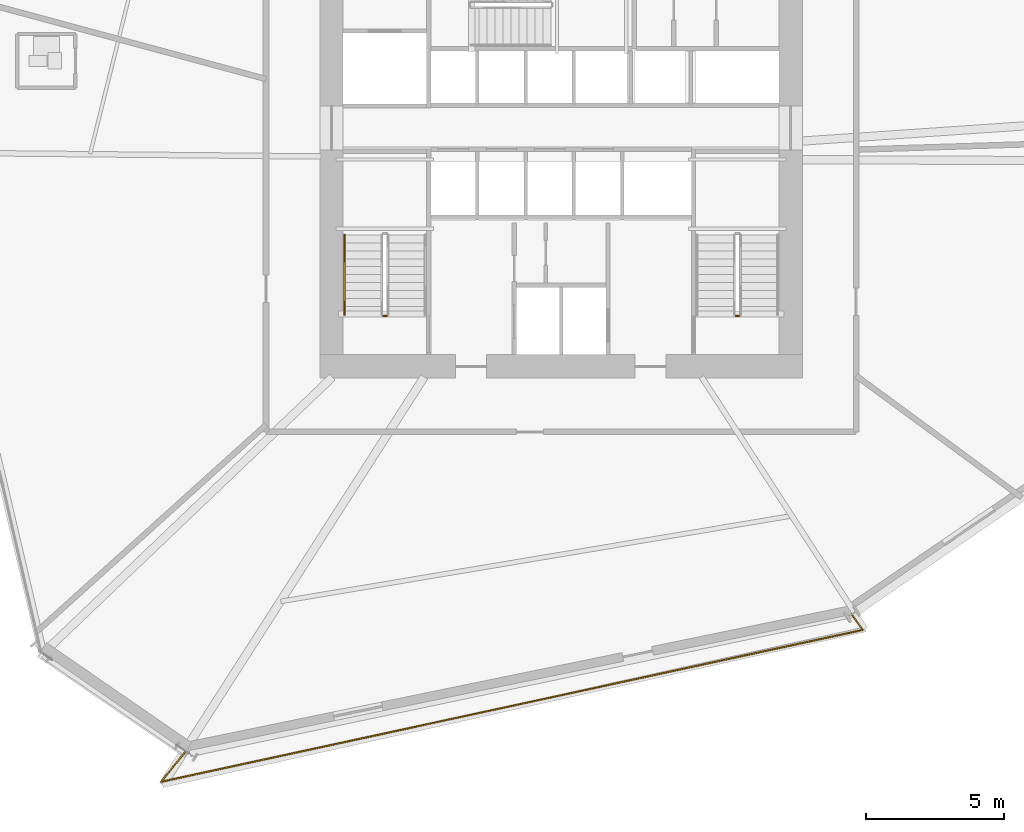
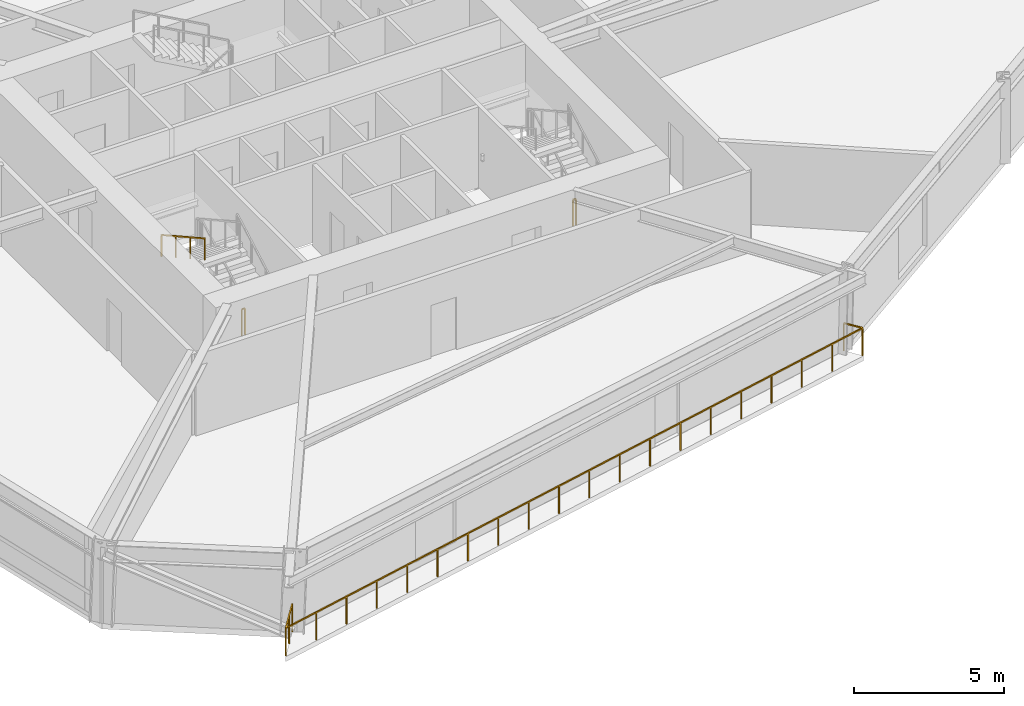
# One storey, part 19 of 23: 4 railings.
"""IFC4 building model written with IfcOpenShell, lengths in metres."""

from ifc_helpers import new_model, si_unit, direction, frame, origin, origin_2d, place, context, subcontext, project, spatial, rectangle, extrude, material, type_object, element, save


model = new_model("IFC4")

# Units and contexts
model_context = context("Model", 3, precision=1e-05, world=origin(), true_north=direction((0.0, 1.0)))
body_context = subcontext(model_context, "Body", "Model", "MODEL_VIEW")
ifc_project = project(units=[si_unit("LENGTHUNIT", "METRE"), si_unit("AREAUNIT", "SQUARE_METRE"), si_unit("VOLUMEUNIT", "CUBIC_METRE"), si_unit("PLANEANGLEUNIT", "RADIAN"), si_unit("MASSUNIT", "GRAM", prefix="KILO")], contexts=[model_context])

# Site, building, storey
site_placement = place(None, origin())
site = spatial("IfcSite", under=ifc_project, at=site_placement, CompositionType="ELEMENT")
building_placement = place(site_placement, origin())
building = spatial("IfcBuilding", under=site, at=building_placement, Name="Olszyna Solenne Hotel", CompositionType="ELEMENT")
storey_placement = place(building_placement, frame((0.0, 0.0, 32.85009765625)))
storey = spatial("IfcBuildingStorey", under=building, at=storey_placement, Name="L07", CompositionType="ELEMENT", Elevation=32.85009765625)

# Railings
ifc_material_1 = material(Name="Anodised bronze aluminium", Category="aluminium")
railing_type_1 = type_object("IfcRailingType", Name="GR-110", PredefinedType="BALUSTRADE", material=ifc_material_1)
railing_1_placement = place(storey_placement, frame((24.3857421875, 5.120849609375, 0.0)))
element("IfcRailing", 1, at=railing_1_placement, inside=storey, type_object=railing_type_1, Name="Loggia balcony balustrade guard GR-L07-LG3", PredefinedType="BALUSTRADE", context=body_context, shape_type="SweptSolid", body=[
    extrude(rectangle(XDim=0.048095703125, YDim=0.048095703125, at=origin_2d()), frame((0.0, 0.0, 1.1259765625), z_axis=(-0.625785855987, -0.779994911808, 0.0), x_axis=(0.779994911808, -0.625785855987, 0.0)), (0.0, 0.0, 1.0), 1.41845703125),
    extrude(rectangle(XDim=0.048095703125, YDim=0.048095703125, at=origin_2d()), frame((-0.8876953125, -1.1064453125, 1.1259765625), z_axis=(0.977365397422, 0.211558218755, 0.0), x_axis=(-0.211558218755, 0.977365397422, 0.0)), (0.0, 0.0, 1.0), 26.033447265625),
    extrude(rectangle(XDim=0.048095703125, YDim=0.048095703125, at=origin_2d()), frame((24.556396484375, 4.401123046875, 1.1259765625), z_axis=(-0.583212774459, 0.812319432064, 0.0), x_axis=(-0.812319432064, -0.583212774459, 0.0)), (0.0, 0.0, 1.0), 0.689453125),
    extrude(rectangle(XDim=0.0419921875, YDim=0.0419921875, at=origin_2d()), origin(), (0.0, 0.0, 1.0), 1.101806640625),
    extrude(rectangle(XDim=0.0419921875, YDim=0.0419921875, at=origin_2d()), frame((-0.44384765625, -0.55322265625, 0.0)), (0.0, 0.0, 1.0), 1.101806640625),
    extrude(rectangle(XDim=0.0419921875, YDim=0.0419921875, at=origin_2d()), frame((-0.8876953125, -1.1064453125, 0.0)), (0.0, 0.0, 1.0), 1.101806640625),
    extrude(rectangle(XDim=0.0419921875, YDim=0.0419921875, at=origin_2d()), frame((0.451416015625, -0.816650390625, 0.0)), (0.0, 0.0, 1.0), 1.101806640625),
    extrude(rectangle(XDim=0.0419921875, YDim=0.0419921875, at=origin_2d()), frame((1.79052734375, -0.526611328125, 0.0)), (0.0, 0.0, 1.0), 1.101806640625),
    extrude(rectangle(XDim=0.0419921875, YDim=0.0419921875, at=origin_2d()), frame((3.1298828125, -0.23681640625, 0.0)), (0.0, 0.0, 1.0), 1.101806640625),
    extrude(rectangle(XDim=0.0419921875, YDim=0.0419921875, at=origin_2d()), frame((4.468994140625, 0.052978515625, 0.0)), (0.0, 0.0, 1.0), 1.101806640625),
    extrude(rectangle(XDim=0.0419921875, YDim=0.0419921875, at=origin_2d()), frame((5.80810546875, 0.343017578125, 0.0)), (0.0, 0.0, 1.0), 1.101806640625),
    extrude(rectangle(XDim=0.0419921875, YDim=0.0419921875, at=origin_2d()), frame((7.147216796875, 0.6328125, 0.0)), (0.0, 0.0, 1.0), 1.101806640625),
    extrude(rectangle(XDim=0.0419921875, YDim=0.0419921875, at=origin_2d()), frame((8.486328125, 0.922607421875, 0.0)), (0.0, 0.0, 1.0), 1.101806640625),
    extrude(rectangle(XDim=0.0419921875, YDim=0.0419921875, at=origin_2d()), frame((9.82568359375, 1.212646484375, 0.0)), (0.0, 0.0, 1.0), 1.101806640625),
    extrude(rectangle(XDim=0.0419921875, YDim=0.0419921875, at=origin_2d()), frame((11.164794921875, 1.50244140625, 0.0)), (0.0, 0.0, 1.0), 1.101806640625),
    extrude(rectangle(XDim=0.0419921875, YDim=0.0419921875, at=origin_2d()), frame((12.50390625, 1.792236328125, 0.0)), (0.0, 0.0, 1.0), 1.101806640625),
    extrude(rectangle(XDim=0.0419921875, YDim=0.0419921875, at=origin_2d()), frame((13.843017578125, 2.08203125, 0.0)), (0.0, 0.0, 1.0), 1.101806640625),
    extrude(rectangle(XDim=0.0419921875, YDim=0.0419921875, at=origin_2d()), frame((15.182373046875, 2.3720703125, 0.0)), (0.0, 0.0, 1.0), 1.101806640625),
    extrude(rectangle(XDim=0.0419921875, YDim=0.0419921875, at=origin_2d()), frame((16.521484375, 2.661865234375, 0.0)), (0.0, 0.0, 1.0), 1.101806640625),
    extrude(rectangle(XDim=0.0419921875, YDim=0.0419921875, at=origin_2d()), frame((17.860595703125, 2.95166015625, 0.0)), (0.0, 0.0, 1.0), 1.101806640625),
    extrude(rectangle(XDim=0.0419921875, YDim=0.0419921875, at=origin_2d()), frame((19.19970703125, 3.24169921875, 0.0)), (0.0, 0.0, 1.0), 1.101806640625),
    extrude(rectangle(XDim=0.0419921875, YDim=0.0419921875, at=origin_2d()), frame((20.538818359375, 3.531494140625, 0.0)), (0.0, 0.0, 1.0), 1.101806640625),
    extrude(rectangle(XDim=0.0419921875, YDim=0.0419921875, at=origin_2d()), frame((21.878173828125, 3.8212890625, 0.0)), (0.0, 0.0, 1.0), 1.101806640625),
    extrude(rectangle(XDim=0.0419921875, YDim=0.0419921875, at=origin_2d()), frame((23.21728515625, 4.111328125, 0.0)), (0.0, 0.0, 1.0), 1.101806640625),
    extrude(rectangle(XDim=0.0419921875, YDim=0.0419921875, at=origin_2d()), frame((24.556396484375, 4.401123046875, 0.0)), (0.0, 0.0, 1.0), 1.101806640625),
    extrude(rectangle(XDim=0.0419921875, YDim=0.0419921875, at=origin_2d()), frame((24.154296875, 4.961181640625, 0.0)), (0.0, 0.0, 1.0), 1.101806640625),
])
for number, where, name in (
    (2, (31.669921875, 20.89990234375, 0.0), "L07 ST1 stair guard 4"),
    (3, (44.449951171875, 20.89990234375, 0.0), "L07 ST2 stair guard 4"),
):
    element("IfcRailing", number, at=place(storey_placement, frame(where)), inside=storey, type_object=railing_type_1, Name=name, PredefinedType="BALUSTRADE", context=body_context, shape_type="SweptSolid", body=[
        extrude(rectangle(XDim=0.048095703125, YDim=0.048095703125, at=origin_2d()), frame((0.0, 0.0, 1.076171875), z_axis=(-1.0, 0.0, 0.0), x_axis=(0.0, -1.0, 0.0)), (0.0, 0.0, 1.0), 0.119873046875),
        extrude(rectangle(XDim=0.0419921875, YDim=0.0419921875, at=origin_2d()), origin(), (0.0, 0.0, 1.0), 1.052001953125),
        extrude(rectangle(XDim=0.0419921875, YDim=0.0419921875, at=origin_2d()), frame((-0.119873046875, 0.0, 0.0)), (0.0, 0.0, 1.0), 1.052001953125),
    ])
ifc_material_2 = material(Name="Steel S355J2", Category="steel")
railing_type_2 = type_object("IfcRailingType", Name="HR-090", PredefinedType="HANDRAIL", material=ifc_material_2)
railing_2_placement = place(storey_placement, frame((30.14990234375, 23.85009765625, 1.936279296875)))
element("IfcRailing", 4, at=railing_2_placement, inside=storey, type_object=railing_type_2, Name="L07 ST1 stair handrail 2", PredefinedType="HANDRAIL", context=body_context, shape_type="SweptSolid", body=[
    extrude(rectangle(XDim=0.048095703125, YDim=0.048095703125, at=origin_2d()), frame((0.0, 0.0, 0.8759765625), z_axis=(0.0, -0.873858693841, 0.486179990537), x_axis=(1.0, 0.0, 0.0)), (0.0, 0.0, 1.0), 3.31884765625),
    extrude(rectangle(XDim=0.0419921875, YDim=0.0419921875, at=origin_2d()), origin(), (0.0, 0.0, 1.0), 0.851806640625),
    extrude(rectangle(XDim=0.0419921875, YDim=0.0419921875, at=origin_2d()), frame((0.0, -0.966796875, 0.537841796875)), (0.0, 0.0, 1.0), 0.851806640625),
    extrude(rectangle(XDim=0.0419921875, YDim=0.0419921875, at=origin_2d()), frame((0.0, -1.933349609375, 1.07568359375)), (0.0, 0.0, 1.0), 0.851806640625),
    extrude(rectangle(XDim=0.0419921875, YDim=0.0419921875, at=origin_2d()), frame((0.0, -2.900146484375, 1.613525390625)), (0.0, 0.0, 1.0), 0.851806640625),
])

save(model, "model.ifc")
